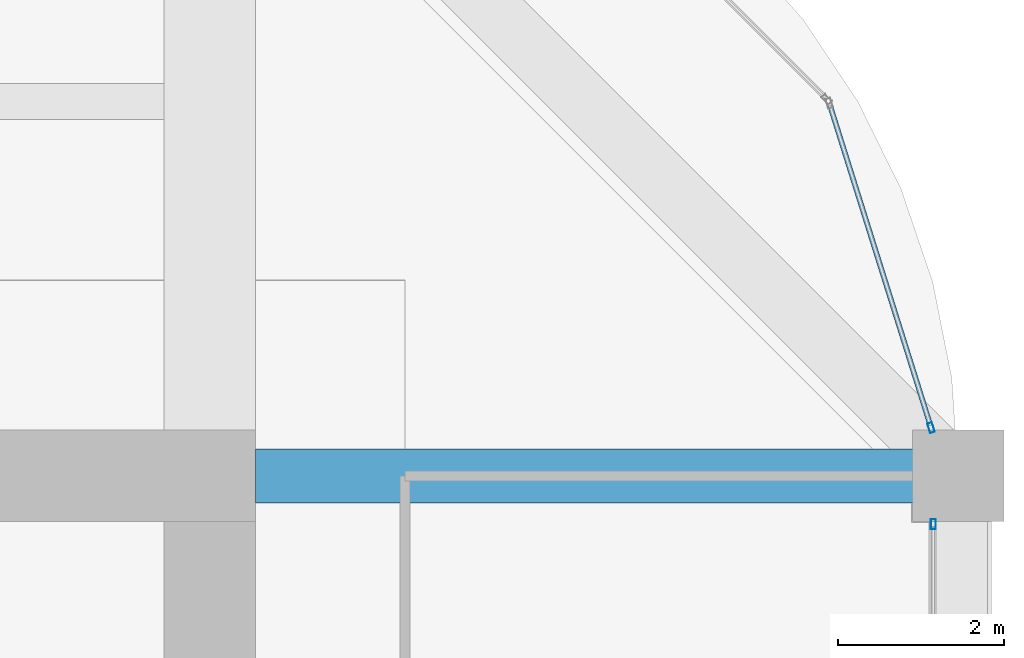
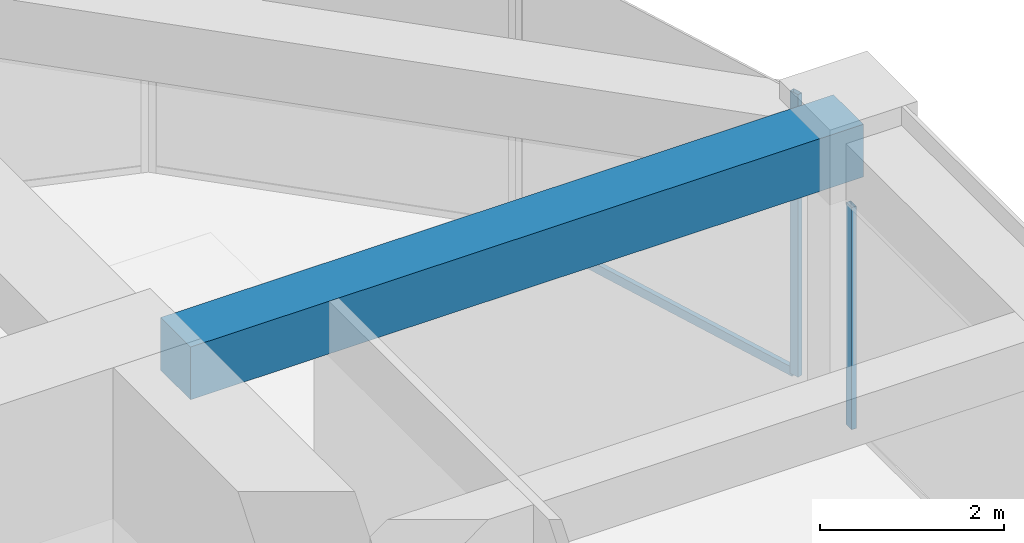
# One storey, part 36 of 45: 3 members, 1 beam, 2 elements without a shape of their own.
"""IFC4 building model written with IfcOpenShell, lengths in metres."""

from ifc_helpers import new_model, si_unit, direction, frame, origin, origin_2d, place, context, subcontext, project, spatial, rectangle, hollow_rectangle, extrude, material, material_profile, profile_set, type_object, element, aggregate, save


model = new_model("IFC4")

# Units and contexts
model_context = context("Model", 3, precision=1e-05, world=origin(), true_north=direction((0.0, 1.0)))
body_context = subcontext(model_context, "Body", "Model", "MODEL_VIEW")
ifc_project = project(units=[si_unit("LENGTHUNIT", "METRE"), si_unit("AREAUNIT", "SQUARE_METRE"), si_unit("VOLUMEUNIT", "CUBIC_METRE"), si_unit("PLANEANGLEUNIT", "RADIAN"), si_unit("MASSUNIT", "GRAM", prefix="KILO")], contexts=[model_context])

# Site, building, storey
site_placement = place(None, origin())
site = spatial("IfcSite", under=ifc_project, at=site_placement, CompositionType="ELEMENT")
building_placement = place(site_placement, origin())
building = spatial("IfcBuilding", under=site, at=building_placement, Name="Zorevar Civic Tower", CompositionType="ELEMENT")
storey_placement = place(building_placement, frame((0.0, 0.0, 303.39990234375)))
storey = spatial("IfcBuildingStorey", under=building, at=storey_placement, Name="L74", CompositionType="ELEMENT", Elevation=303.39990234375)

# Beam
ifc_material_1 = material(Name="Concrete C50/60", Category="concrete")
ifc_material_profile_1 = material_profile(ifc_material_1, rectangle(XDim=0.64990234375, YDim=0.699951171875, at=origin_2d()), Name="RC 650x700")
ifc_profile_set_1 = profile_set([ifc_material_profile_1], Name="Concrete C50/60")
beam_type = type_object("IfcBeamType", Name="Beam RC 650x700", PredefinedType="BEAM", material=ifc_profile_set_1)
beam_placement = place(storey_placement, frame((45.550048828125, 36.0, 3.400146484375), z_axis=(1.0, 0.0, 0.0), x_axis=(0.0, 1.0, 0.0)))
element("IfcBeam", 1, at=beam_placement, inside=storey, type_object=beam_type, Name="Girder L75", PredefinedType="BEAM", context=body_context, shape_type="SweptSolid", body=[
    extrude(rectangle(XDim=0.64990234375, YDim=0.699951171875, at=origin_2d()), origin(), (0.0, 0.0, 1.0), 8.449951171875),
])

# Curtain wall, member
ifc_material_2 = material(Name="Dark grey solar-control glass in black aluminium frame", Category="aluminium")
curtain_wall_type = type_object("IfcCurtainWallType", Name="Curtain wall CW5 top zone", PredefinedType="NOTDEFINED", material=ifc_material_2)
curtain_wall_1_placement = place(storey_placement, origin())
curtain_wall_1 = element("IfcCurtainWall", 2, at=curtain_wall_1_placement, inside=storey, type_object=curtain_wall_type, Name="CW5 L74", PredefinedType="NOTDEFINED")
ifc_material_3 = material(Name="Aluminium, black anodised", Category="aluminium")
ifc_material_profile_2 = material_profile(ifc_material_3, hollow_rectangle(XDim=0.06005859375, YDim=0.1201171875, WallThickness=0.0029296875, at=origin_2d()), Name="AL 120x60x3")
ifc_profile_set_2 = profile_set([ifc_material_profile_2], Name="Aluminium, black anodised")
member_type_1 = type_object("IfcMemberType", Name="CW5 mullion AL 120x60x3", PredefinedType="MULLION", material=ifc_profile_set_2)
member_1_placement = place(storey_placement, frame((53.699951171875, 35.419921875, 0.0), z_axis=(0.0, 0.0, 1.0), x_axis=(-1.0, 0.0, 0.0)))
member_1 = element("IfcMember", 3, at=member_1_placement, type_object=member_type_1, Name="CW5 mullion 3", PredefinedType="MULLION", context=body_context, shape_type="SweptSolid", body=[
    extrude(hollow_rectangle(XDim=0.06005859375, YDim=0.1201171875, WallThickness=0.0029296875, at=origin_2d()), origin(), (0.0, 0.0, 1.0), 2.9501953125),
])
aggregate(curtain_wall_1, [member_1])

# Curtain wall, members
curtain_wall_2_placement = place(storey_placement, origin())
curtain_wall_2 = element("IfcCurtainWall", 4, at=curtain_wall_2_placement, inside=storey, type_object=curtain_wall_type, Name="CW5 L74", PredefinedType="NOTDEFINED")
member_2_placement = place(storey_placement, frame((53.673583984375, 36.57861328125, 0.0), z_axis=(0.0, 0.0, 1.0), x_axis=(-0.954153437674, -0.299317920238, 0.0)))
member_2 = element("IfcMember", 5, at=member_2_placement, type_object=member_type_1, Name="CW5 mullion 1", PredefinedType="MULLION", context=body_context, shape_type="SweptSolid", body=[
    extrude(hollow_rectangle(XDim=0.06005859375, YDim=0.1201171875, WallThickness=0.0029296875, at=origin_2d()), origin(), (0.0, 0.0, 1.0), 3.75),
])
ifc_material_4 = material(Name="Aluminium, black anodised", Category="aluminium")
ifc_material_profile_3 = material_profile(ifc_material_4, hollow_rectangle(XDim=0.06005859375, YDim=0.1201171875, WallThickness=0.0029296875, at=origin_2d()), Name="AL 120x60x3")
ifc_profile_set_3 = profile_set([ifc_material_profile_3], Name="Aluminium, black anodised")
member_type_2 = type_object("IfcMemberType", Name="CW5 transom AL 120x60x3", PredefinedType="USERDEFINED", material=ifc_profile_set_3)
member_3_placement = place(storey_placement, frame((53.66455078125, 36.607177734375, 0.030029296875), z_axis=(-0.299285978047, 0.954163457351, 0.0), x_axis=(-0.954163457351, -0.299285978047, 0.0)))
member_3 = element("IfcMember", 6, at=member_3_placement, type_object=member_type_2, Name="CW5 sill transom", ObjectType="TRANSOM", PredefinedType="USERDEFINED", context=body_context, shape_type="SweptSolid", body=[
    extrude(hollow_rectangle(XDim=0.06005859375, YDim=0.1201171875, WallThickness=0.0029296875, at=origin_2d()), origin(), (0.0, 0.0, 1.0), 4.028076171875),
])
aggregate(curtain_wall_2, [member_2, member_3])

save(model, "model.ifc")
